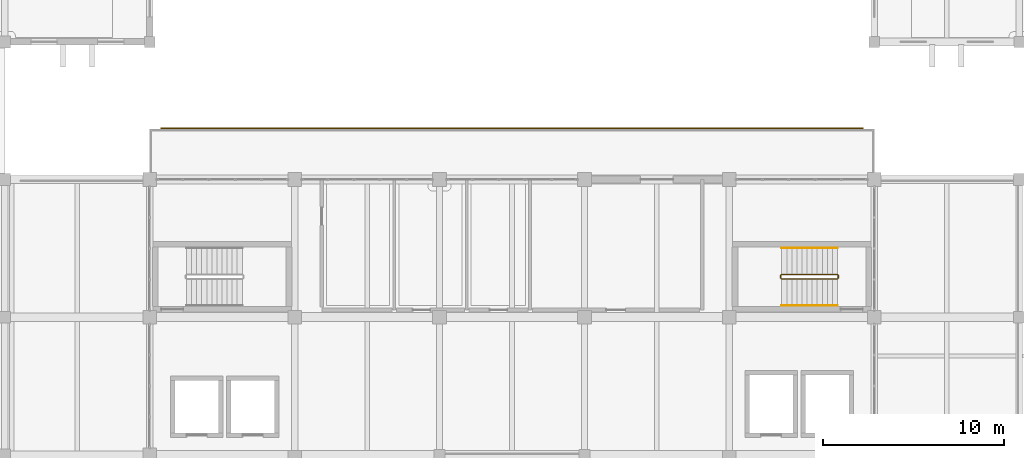
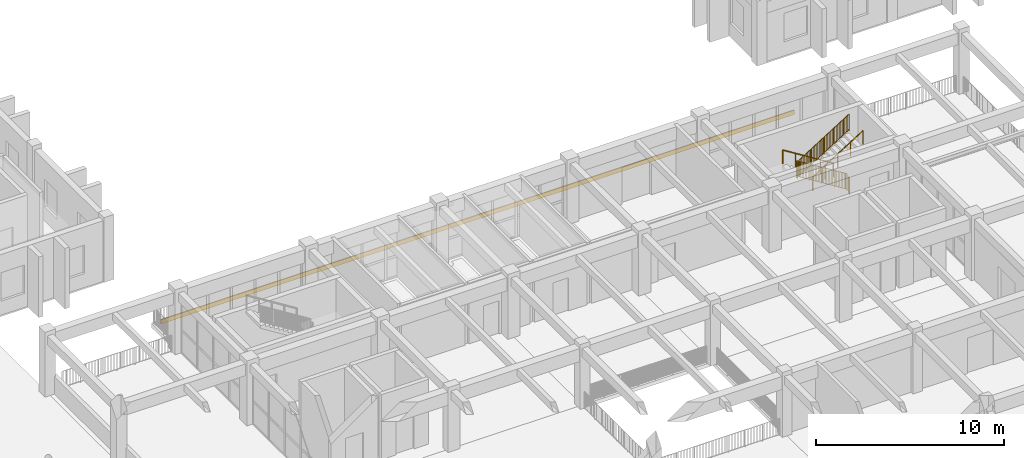
# One storey, part 56 of 63: 6 railings, 1 covering.
"""IFC4 building model written with IfcOpenShell, lengths in metres."""

from ifc_helpers import new_model, si_unit, direction, frame, origin, origin_2d, place, context, subcontext, project, spatial, polyline, rectangle, circle, outline, extrude, material, layer, layer_set, type_object, element, save


model = new_model("IFC4")

# Units and contexts
model_context = context("Model", 3, precision=1e-05, world=origin(), true_north=direction((0.0, 1.0)))
body_context = subcontext(model_context, "Body", "Model", "MODEL_VIEW")
ifc_project = project(units=[si_unit("LENGTHUNIT", "METRE"), si_unit("AREAUNIT", "SQUARE_METRE"), si_unit("VOLUMEUNIT", "CUBIC_METRE"), si_unit("PLANEANGLEUNIT", "RADIAN"), si_unit("MASSUNIT", "GRAM", prefix="KILO")], contexts=[model_context])

# Site, building, storey
site_placement = place(None, origin())
site = spatial("IfcSite", under=ifc_project, at=site_placement, CompositionType="ELEMENT")
building_placement = place(site_placement, origin())
building = spatial("IfcBuilding", under=site, at=building_placement, Name="Zantavel Square City Hall", CompositionType="ELEMENT")
storey_placement = place(building_placement, frame((0.0, 0.0, 14.699951171875)))
storey = spatial("IfcBuildingStorey", under=building, at=storey_placement, Name="L04", CompositionType="ELEMENT", Elevation=14.699951171875)

# Railings
ifc_material_1 = material(Name="Steel ASTM A500 Grade B", Category="steel")
railing_type_1 = type_object("IfcRailingType", Name="Atrium & Gallery Steel Guard Railing 1100mm", PredefinedType="GUARDRAIL", material=ifc_material_1)
railing_1_placement = place(storey_placement, frame((101.969970703125, 63.159912109375, 0.175048828125)))
element("IfcRailing", 1, at=railing_1_placement, inside=storey, type_object=railing_type_1, Name="L04 ST6 stair guard 1", PredefinedType="GUARDRAIL", context=body_context, shape_type="SweptSolid", body=[
    extrude(circle(Radius=0.02392578125, at=origin_2d()), frame((0.0, 0.0, 1.076171875), z_axis=(-0.847998304005, 0.0, 0.529998940003), x_axis=(0.0, -1.0, 0.0)), (0.0, 0.0, 1.0), 3.632080078125),
    extrude(rectangle(XDim=0.031982421875, YDim=0.031982421875, at=origin_2d()), frame((0.0, 0.0, 0.080078125), z_axis=(-0.847998304005, 0.0, 0.529998940003), x_axis=(0.0, -1.0, 0.0)), (0.0, 0.0, 1.0), 3.632080078125),
    extrude(rectangle(XDim=0.02197265625, YDim=0.02197265625, at=origin_2d()), frame((-0.087890625, 0.0, 0.135009765625)), (0.0, 0.0, 1.0), 0.971923828125),
    extrude(rectangle(XDim=0.02197265625, YDim=0.02197265625, at=origin_2d()), frame((-0.176025390625, 0.0, 0.18994140625)), (0.0, 0.0, 1.0), 0.971923828125),
    extrude(rectangle(XDim=0.02197265625, YDim=0.02197265625, at=origin_2d()), frame((-0.263916015625, 0.0, 0.2451171875)), (0.0, 0.0, 1.0), 0.971923828125),
    extrude(rectangle(XDim=0.02197265625, YDim=0.02197265625, at=origin_2d()), frame((-0.35205078125, 0.0, 0.300048828125)), (0.0, 0.0, 1.0), 0.971923828125),
    extrude(rectangle(XDim=0.02197265625, YDim=0.02197265625, at=origin_2d()), frame((-0.43994140625, 0.0, 0.35498046875)), (0.0, 0.0, 1.0), 0.971923828125),
    extrude(rectangle(XDim=0.02197265625, YDim=0.02197265625, at=origin_2d()), frame((-0.528076171875, 0.0, 0.409912109375)), (0.0, 0.0, 1.0), 0.971923828125),
    extrude(rectangle(XDim=0.02197265625, YDim=0.02197265625, at=origin_2d()), frame((-0.615966796875, 0.0, 0.465087890625)), (0.0, 0.0, 1.0), 0.971923828125),
    extrude(rectangle(XDim=0.02197265625, YDim=0.02197265625, at=origin_2d()), frame((-0.7041015625, 0.0, 0.52001953125)), (0.0, 0.0, 1.0), 0.971923828125),
    extrude(rectangle(XDim=0.02197265625, YDim=0.02197265625, at=origin_2d()), frame((-0.880126953125, 0.0, 0.630126953125)), (0.0, 0.0, 1.0), 0.971923828125),
    extrude(rectangle(XDim=0.02197265625, YDim=0.02197265625, at=origin_2d()), frame((-0.968017578125, 0.0, 0.68505859375)), (0.0, 0.0, 1.0), 0.971923828125),
    extrude(rectangle(XDim=0.02197265625, YDim=0.02197265625, at=origin_2d()), frame((-1.055908203125, 0.0, 0.739990234375)), (0.0, 0.0, 1.0), 0.971923828125),
    extrude(rectangle(XDim=0.02197265625, YDim=0.02197265625, at=origin_2d()), frame((-1.14404296875, 0.0, 0.794921875)), (0.0, 0.0, 1.0), 0.971923828125),
    extrude(rectangle(XDim=0.02197265625, YDim=0.02197265625, at=origin_2d()), frame((-1.23193359375, 0.0, 0.85009765625)), (0.0, 0.0, 1.0), 0.971923828125),
    extrude(rectangle(XDim=0.02197265625, YDim=0.02197265625, at=origin_2d()), frame((-1.320068359375, 0.0, 0.905029296875)), (0.0, 0.0, 1.0), 0.971923828125),
    extrude(rectangle(XDim=0.02197265625, YDim=0.02197265625, at=origin_2d()), frame((-1.407958984375, 0.0, 0.9599609375)), (0.0, 0.0, 1.0), 0.971923828125),
    extrude(rectangle(XDim=0.02197265625, YDim=0.02197265625, at=origin_2d()), frame((-1.49609375, 0.0, 1.01513671875)), (0.0, 0.0, 1.0), 0.971923828125),
    extrude(rectangle(XDim=0.02197265625, YDim=0.02197265625, at=origin_2d()), frame((-1.583984375, 0.0, 1.070068359375)), (0.0, 0.0, 1.0), 0.971923828125),
    extrude(rectangle(XDim=0.02197265625, YDim=0.02197265625, at=origin_2d()), frame((-1.672119140625, 0.0, 1.125)), (0.0, 0.0, 1.0), 0.971923828125),
    extrude(rectangle(XDim=0.02197265625, YDim=0.02197265625, at=origin_2d()), frame((-1.760009765625, 0.0, 1.179931640625)), (0.0, 0.0, 1.0), 0.971923828125),
    extrude(rectangle(XDim=0.02197265625, YDim=0.02197265625, at=origin_2d()), frame((-1.84814453125, 0.0, 1.235107421875)), (0.0, 0.0, 1.0), 0.971923828125),
    extrude(rectangle(XDim=0.02197265625, YDim=0.02197265625, at=origin_2d()), frame((-1.93603515625, 0.0, 1.2900390625)), (0.0, 0.0, 1.0), 0.971923828125),
    extrude(rectangle(XDim=0.02197265625, YDim=0.02197265625, at=origin_2d()), frame((-2.024169921875, 0.0, 1.344970703125)), (0.0, 0.0, 1.0), 0.971923828125),
    extrude(rectangle(XDim=0.02197265625, YDim=0.02197265625, at=origin_2d()), frame((-2.112060546875, 0.0, 1.400146484375)), (0.0, 0.0, 1.0), 0.971923828125),
    extrude(rectangle(XDim=0.02197265625, YDim=0.02197265625, at=origin_2d()), frame((-2.199951171875, 0.0, 1.455078125)), (0.0, 0.0, 1.0), 0.971923828125),
    extrude(rectangle(XDim=0.02197265625, YDim=0.02197265625, at=origin_2d()), frame((-2.3759765625, 0.0, 1.56494140625)), (0.0, 0.0, 1.0), 0.971923828125),
    extrude(rectangle(XDim=0.02197265625, YDim=0.02197265625, at=origin_2d()), frame((-2.464111328125, 0.0, 1.6201171875)), (0.0, 0.0, 1.0), 0.971923828125),
    extrude(rectangle(XDim=0.02197265625, YDim=0.02197265625, at=origin_2d()), frame((-2.552001953125, 0.0, 1.675048828125)), (0.0, 0.0, 1.0), 0.971923828125),
    extrude(rectangle(XDim=0.02197265625, YDim=0.02197265625, at=origin_2d()), frame((-2.64013671875, 0.0, 1.72998046875)), (0.0, 0.0, 1.0), 0.971923828125),
    extrude(rectangle(XDim=0.02197265625, YDim=0.02197265625, at=origin_2d()), frame((-2.72802734375, 0.0, 1.78515625)), (0.0, 0.0, 1.0), 0.971923828125),
    extrude(rectangle(XDim=0.02197265625, YDim=0.02197265625, at=origin_2d()), frame((-2.816162109375, 0.0, 1.840087890625)), (0.0, 0.0, 1.0), 0.971923828125),
    extrude(rectangle(XDim=0.02197265625, YDim=0.02197265625, at=origin_2d()), frame((-2.904052734375, 0.0, 1.89501953125)), (0.0, 0.0, 1.0), 0.971923828125),
    extrude(rectangle(XDim=0.02197265625, YDim=0.02197265625, at=origin_2d()), frame((-2.9921875, 0.0, 1.949951171875)), (0.0, 0.0, 1.0), 0.971923828125),
    extrude(circle(Radius=0.02099609375, at=origin_2d()), origin(), (0.0, 0.0, 1.0), 1.052001953125),
    extrude(circle(Radius=0.02099609375, at=origin_2d()), frame((-0.77001953125, 0.0, 0.481201171875)), (0.0, 0.0, 1.0), 1.052001953125),
    extrude(circle(Radius=0.02099609375, at=origin_2d()), frame((-1.5400390625, 0.0, 0.96240234375)), (0.0, 0.0, 1.0), 1.052001953125),
    extrude(circle(Radius=0.02099609375, at=origin_2d()), frame((-2.31005859375, 0.0, 1.44384765625)), (0.0, 0.0, 1.0), 1.052001953125),
    extrude(circle(Radius=0.02099609375, at=origin_2d()), frame((-3.080078125, 0.0, 1.925048828125)), (0.0, 0.0, 1.0), 1.052001953125),
])
railing_2_placement = place(storey_placement, frame((98.840087890625, 63.110107421875, 2.10009765625)))
element("IfcRailing", 2, at=railing_2_placement, inside=storey, type_object=railing_type_1, Name="L04 ST6 stair guard 2", PredefinedType="GUARDRAIL", context=body_context, shape_type="SweptSolid", body=[
    extrude(circle(Radius=0.02392578125, at=origin_2d()), frame((0.0, 0.0, 1.076171875), z_axis=(0.0, -1.0, 0.0), x_axis=(1.0, 0.0, 0.0)), (0.0, 0.0, 1.0), 0.150146484375),
    extrude(rectangle(XDim=0.031982421875, YDim=0.031982421875, at=origin_2d()), frame((0.0, 0.0, 0.080078125), z_axis=(0.0, -1.0, 0.0), x_axis=(1.0, 0.0, 0.0)), (0.0, 0.0, 1.0), 0.150146484375),
    extrude(rectangle(XDim=0.02197265625, YDim=0.02197265625, at=origin_2d()), frame((0.0, -0.0751953125, 0.080078125)), (0.0, 0.0, 1.0), 0.971923828125),
    extrude(circle(Radius=0.02099609375, at=origin_2d()), origin(), (0.0, 0.0, 1.0), 1.052001953125),
    extrude(circle(Radius=0.02099609375, at=origin_2d()), frame((0.0, -0.150146484375, 0.0)), (0.0, 0.0, 1.0), 1.052001953125),
])
railing_3_placement = place(storey_placement, frame((98.889892578125, 62.909912109375, 2.275146484375)))
element("IfcRailing", 3, at=railing_3_placement, inside=storey, type_object=railing_type_1, Name="L04 ST6 stair guard 3", PredefinedType="GUARDRAIL", context=body_context, shape_type="SweptSolid", body=[
    extrude(circle(Radius=0.02392578125, at=origin_2d()), frame((0.0, 0.0, 1.076171875), z_axis=(0.848028513186, 0.0, 0.529950602248), x_axis=(0.0, 1.0, 0.0)), (0.0, 0.0, 1.0), 3.632080078125),
    extrude(rectangle(XDim=0.031982421875, YDim=0.031982421875, at=origin_2d()), frame((0.0, 0.0, 0.080078125), z_axis=(0.848028513186, 0.0, 0.529950602248), x_axis=(0.0, 1.0, 0.0)), (0.0, 0.0, 1.0), 3.632080078125),
    extrude(rectangle(XDim=0.02197265625, YDim=0.02197265625, at=origin_2d()), frame((0.087890625, 0.0, 0.135009765625)), (0.0, 0.0, 1.0), 0.971923828125),
    extrude(rectangle(XDim=0.02197265625, YDim=0.02197265625, at=origin_2d()), frame((0.176025390625, 0.0, 0.18994140625)), (0.0, 0.0, 1.0), 0.971923828125),
    extrude(rectangle(XDim=0.02197265625, YDim=0.02197265625, at=origin_2d()), frame((0.263916015625, 0.0, 0.244873046875)), (0.0, 0.0, 1.0), 0.971923828125),
    extrude(rectangle(XDim=0.02197265625, YDim=0.02197265625, at=origin_2d()), frame((0.35205078125, 0.0, 0.300048828125)), (0.0, 0.0, 1.0), 0.971923828125),
    extrude(rectangle(XDim=0.02197265625, YDim=0.02197265625, at=origin_2d()), frame((0.43994140625, 0.0, 0.35498046875)), (0.0, 0.0, 1.0), 0.971923828125),
    extrude(rectangle(XDim=0.02197265625, YDim=0.02197265625, at=origin_2d()), frame((0.528076171875, 0.0, 0.409912109375)), (0.0, 0.0, 1.0), 0.971923828125),
    extrude(rectangle(XDim=0.02197265625, YDim=0.02197265625, at=origin_2d()), frame((0.615966796875, 0.0, 0.46484375)), (0.0, 0.0, 1.0), 0.971923828125),
    extrude(rectangle(XDim=0.02197265625, YDim=0.02197265625, at=origin_2d()), frame((0.7041015625, 0.0, 0.52001953125)), (0.0, 0.0, 1.0), 0.971923828125),
    extrude(rectangle(XDim=0.02197265625, YDim=0.02197265625, at=origin_2d()), frame((0.880126953125, 0.0, 0.6298828125)), (0.0, 0.0, 1.0), 0.971923828125),
    extrude(rectangle(XDim=0.02197265625, YDim=0.02197265625, at=origin_2d()), frame((0.968017578125, 0.0, 0.68505859375)), (0.0, 0.0, 1.0), 0.971923828125),
    extrude(rectangle(XDim=0.02197265625, YDim=0.02197265625, at=origin_2d()), frame((1.055908203125, 0.0, 0.739990234375)), (0.0, 0.0, 1.0), 0.971923828125),
    extrude(rectangle(XDim=0.02197265625, YDim=0.02197265625, at=origin_2d()), frame((1.14404296875, 0.0, 0.794921875)), (0.0, 0.0, 1.0), 0.971923828125),
    extrude(rectangle(XDim=0.02197265625, YDim=0.02197265625, at=origin_2d()), frame((1.23193359375, 0.0, 0.849853515625)), (0.0, 0.0, 1.0), 0.971923828125),
    extrude(rectangle(XDim=0.02197265625, YDim=0.02197265625, at=origin_2d()), frame((1.320068359375, 0.0, 0.905029296875)), (0.0, 0.0, 1.0), 0.971923828125),
    extrude(rectangle(XDim=0.02197265625, YDim=0.02197265625, at=origin_2d()), frame((1.407958984375, 0.0, 0.9599609375)), (0.0, 0.0, 1.0), 0.971923828125),
    extrude(rectangle(XDim=0.02197265625, YDim=0.02197265625, at=origin_2d()), frame((1.49609375, 0.0, 1.014892578125)), (0.0, 0.0, 1.0), 0.971923828125),
    extrude(rectangle(XDim=0.02197265625, YDim=0.02197265625, at=origin_2d()), frame((1.583984375, 0.0, 1.06982421875)), (0.0, 0.0, 1.0), 0.971923828125),
    extrude(rectangle(XDim=0.02197265625, YDim=0.02197265625, at=origin_2d()), frame((1.672119140625, 0.0, 1.125)), (0.0, 0.0, 1.0), 0.971923828125),
    extrude(rectangle(XDim=0.02197265625, YDim=0.02197265625, at=origin_2d()), frame((1.760009765625, 0.0, 1.179931640625)), (0.0, 0.0, 1.0), 0.971923828125),
    extrude(rectangle(XDim=0.02197265625, YDim=0.02197265625, at=origin_2d()), frame((1.84814453125, 0.0, 1.23486328125)), (0.0, 0.0, 1.0), 0.971923828125),
    extrude(rectangle(XDim=0.02197265625, YDim=0.02197265625, at=origin_2d()), frame((1.93603515625, 0.0, 1.289794921875)), (0.0, 0.0, 1.0), 0.971923828125),
    extrude(rectangle(XDim=0.02197265625, YDim=0.02197265625, at=origin_2d()), frame((2.024169921875, 0.0, 1.344970703125)), (0.0, 0.0, 1.0), 0.971923828125),
    extrude(rectangle(XDim=0.02197265625, YDim=0.02197265625, at=origin_2d()), frame((2.112060546875, 0.0, 1.39990234375)), (0.0, 0.0, 1.0), 0.971923828125),
    extrude(rectangle(XDim=0.02197265625, YDim=0.02197265625, at=origin_2d()), frame((2.199951171875, 0.0, 1.454833984375)), (0.0, 0.0, 1.0), 0.971923828125),
    extrude(rectangle(XDim=0.02197265625, YDim=0.02197265625, at=origin_2d()), frame((2.3759765625, 0.0, 1.56494140625)), (0.0, 0.0, 1.0), 0.971923828125),
    extrude(rectangle(XDim=0.02197265625, YDim=0.02197265625, at=origin_2d()), frame((2.464111328125, 0.0, 1.619873046875)), (0.0, 0.0, 1.0), 0.971923828125),
    extrude(rectangle(XDim=0.02197265625, YDim=0.02197265625, at=origin_2d()), frame((2.552001953125, 0.0, 1.6748046875)), (0.0, 0.0, 1.0), 0.971923828125),
    extrude(rectangle(XDim=0.02197265625, YDim=0.02197265625, at=origin_2d()), frame((2.64013671875, 0.0, 1.729736328125)), (0.0, 0.0, 1.0), 0.971923828125),
    extrude(rectangle(XDim=0.02197265625, YDim=0.02197265625, at=origin_2d()), frame((2.72802734375, 0.0, 1.784912109375)), (0.0, 0.0, 1.0), 0.971923828125),
    extrude(rectangle(XDim=0.02197265625, YDim=0.02197265625, at=origin_2d()), frame((2.816162109375, 0.0, 1.83984375)), (0.0, 0.0, 1.0), 0.971923828125),
    extrude(rectangle(XDim=0.02197265625, YDim=0.02197265625, at=origin_2d()), frame((2.904052734375, 0.0, 1.894775390625)), (0.0, 0.0, 1.0), 0.971923828125),
    extrude(rectangle(XDim=0.02197265625, YDim=0.02197265625, at=origin_2d()), frame((2.9921875, 0.0, 1.94970703125)), (0.0, 0.0, 1.0), 0.971923828125),
    extrude(circle(Radius=0.02099609375, at=origin_2d()), origin(), (0.0, 0.0, 1.0), 1.052001953125),
    extrude(circle(Radius=0.02099609375, at=origin_2d()), frame((0.77001953125, 0.0, 0.481201171875)), (0.0, 0.0, 1.0), 1.052001953125),
    extrude(circle(Radius=0.02099609375, at=origin_2d()), frame((1.5400390625, 0.0, 0.96240234375)), (0.0, 0.0, 1.0), 1.052001953125),
    extrude(circle(Radius=0.02099609375, at=origin_2d()), frame((2.31005859375, 0.0, 1.443603515625)), (0.0, 0.0, 1.0), 1.052001953125),
    extrude(circle(Radius=0.02099609375, at=origin_2d()), frame((3.080078125, 0.0, 1.9248046875)), (0.0, 0.0, 1.0), 1.052001953125),
])
railing_4_placement = place(storey_placement, frame((102.02001953125, 63.110107421875, 0.0)))
element("IfcRailing", 4, at=railing_4_placement, inside=storey, type_object=railing_type_1, Name="L04 ST6 stair guard 4", PredefinedType="GUARDRAIL", context=body_context, shape_type="SweptSolid", body=[
    extrude(circle(Radius=0.02392578125, at=origin_2d()), frame((0.0, 0.0, 1.076171875), z_axis=(0.0, -1.0, 0.0), x_axis=(1.0, 0.0, 0.0)), (0.0, 0.0, 1.0), 0.150146484375),
    extrude(rectangle(XDim=0.031982421875, YDim=0.031982421875, at=origin_2d()), frame((0.0, 0.0, 0.080078125), z_axis=(0.0, -1.0, 0.0), x_axis=(1.0, 0.0, 0.0)), (0.0, 0.0, 1.0), 0.150146484375),
    extrude(rectangle(XDim=0.02197265625, YDim=0.02197265625, at=origin_2d()), frame((0.0, -0.0751953125, 0.080078125)), (0.0, 0.0, 1.0), 0.971923828125),
    extrude(circle(Radius=0.02099609375, at=origin_2d()), origin(), (0.0, 0.0, 1.0), 1.052001953125),
    extrude(circle(Radius=0.02099609375, at=origin_2d()), frame((0.0, -0.150146484375, 0.0)), (0.0, 0.0, 1.0), 1.052001953125),
])

# Covering
ifc_material_2 = material(Name="White cantera volcanic tuff stone", Category="masonry")
ifc_layer = layer(ifc_material_2, 0.06005859375, Name="White cantera volcanic tuff stone")
ifc_layer_set = layer_set([ifc_layer], Name="White cantera volcanic tuff stone")
covering_type = type_object("IfcCoveringType", Name="Carved White Cantera Tray Fascia Cladding 60mm", PredefinedType="CLADDING", material=ifc_layer_set)
covering_placement = place(storey_placement, frame((0.0, 0.0, -0.280029296875)))
element("IfcCovering", 5, at=covering_placement, inside=storey, type_object=covering_type, Name="L04 White Cantera Tray Fascia COV-FASCIA-L04N", PredefinedType="CLADDING", context=body_context, shape_type="SweptSolid", body=[
    extrude(outline(polyline([(64.60009765625, 71.199951171875), (103.39990234375, 71.199951171875), (103.39990234375, 71.260009765625), (64.60009765625, 71.260009765625), (64.60009765625, 71.199951171875)])), origin(), (0.0, 0.0, 1.0), 0.280029296875),
])

# Railings
ifc_material_3 = material(Name="Stainless steel 316", Category="steel")
railing_type_2 = type_object("IfcRailingType", Name="Stair Stainless Steel Handrail 900mm", PredefinedType="HANDRAIL", material=ifc_material_3)
railing_5_placement = place(storey_placement, frame((101.969970703125, 64.6201171875, 0.175048828125)))
element("IfcRailing", 6, at=railing_5_placement, inside=storey, type_object=railing_type_2, Name="L04 ST6 stair handrail 1", PredefinedType="HANDRAIL", context=body_context, shape_type="SweptSolid", body=[
    extrude(circle(Radius=0.02392578125, at=origin_2d()), frame((0.0, 0.0, 0.8759765625), z_axis=(-0.847998304005, 0.0, 0.529998940003), x_axis=(0.0, -1.0, 0.0)), (0.0, 0.0, 1.0), 3.632080078125),
    extrude(circle(Radius=0.02099609375, at=origin_2d()), origin(), (0.0, 0.0, 1.0), 0.851806640625),
    extrude(circle(Radius=0.02099609375, at=origin_2d()), frame((-0.77001953125, 0.0, 0.481201171875)), (0.0, 0.0, 1.0), 0.851806640625),
    extrude(circle(Radius=0.02099609375, at=origin_2d()), frame((-1.5400390625, 0.0, 0.96240234375)), (0.0, 0.0, 1.0), 0.851806640625),
    extrude(circle(Radius=0.02099609375, at=origin_2d()), frame((-2.31005859375, 0.0, 1.44384765625)), (0.0, 0.0, 1.0), 0.851806640625),
    extrude(circle(Radius=0.02099609375, at=origin_2d()), frame((-3.080078125, 0.0, 1.925048828125)), (0.0, 0.0, 1.0), 0.851806640625),
])
railing_6_placement = place(storey_placement, frame((98.889892578125, 61.449951171875, 2.275146484375)))
element("IfcRailing", 7, at=railing_6_placement, inside=storey, type_object=railing_type_2, Name="L04 ST6 stair handrail 2", PredefinedType="HANDRAIL", context=body_context, shape_type="SweptSolid", body=[
    extrude(circle(Radius=0.02392578125, at=origin_2d()), frame((0.0, 0.0, 0.8759765625), z_axis=(0.848028513186, 0.0, 0.529950602248), x_axis=(0.0, 1.0, 0.0)), (0.0, 0.0, 1.0), 3.632080078125),
    extrude(circle(Radius=0.02099609375, at=origin_2d()), origin(), (0.0, 0.0, 1.0), 0.851806640625),
    extrude(circle(Radius=0.02099609375, at=origin_2d()), frame((0.77001953125, 0.0, 0.481201171875)), (0.0, 0.0, 1.0), 0.851806640625),
    extrude(circle(Radius=0.02099609375, at=origin_2d()), frame((1.5400390625, 0.0, 0.96240234375)), (0.0, 0.0, 1.0), 0.851806640625),
    extrude(circle(Radius=0.02099609375, at=origin_2d()), frame((2.31005859375, 0.0, 1.443603515625)), (0.0, 0.0, 1.0), 0.851806640625),
    extrude(circle(Radius=0.02099609375, at=origin_2d()), frame((3.080078125, 0.0, 1.9248046875)), (0.0, 0.0, 1.0), 0.851806640625),
])

save(model, "model.ifc")
